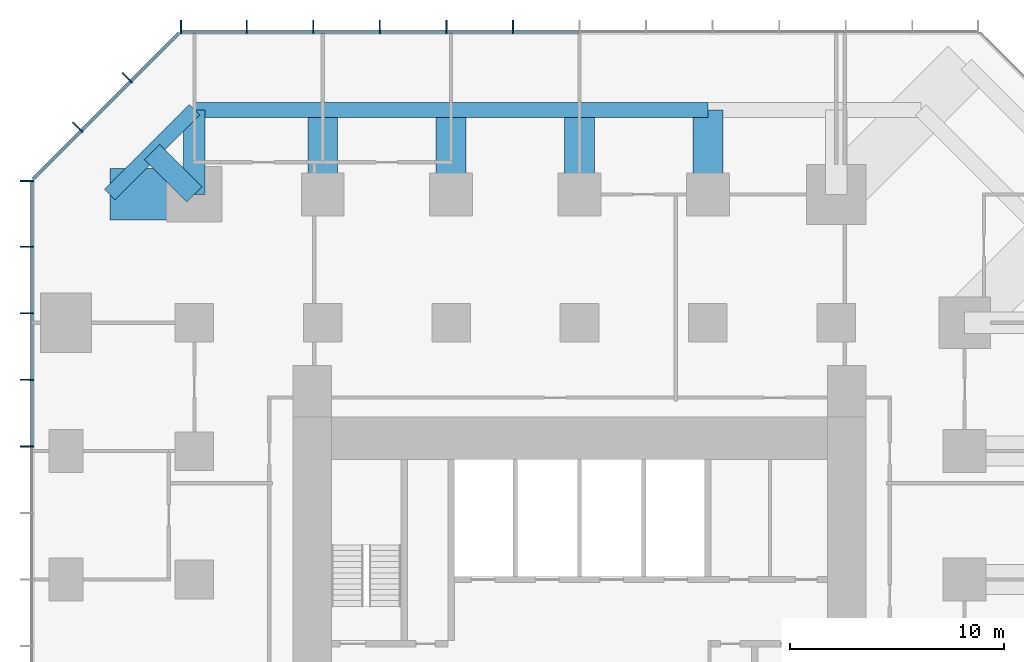
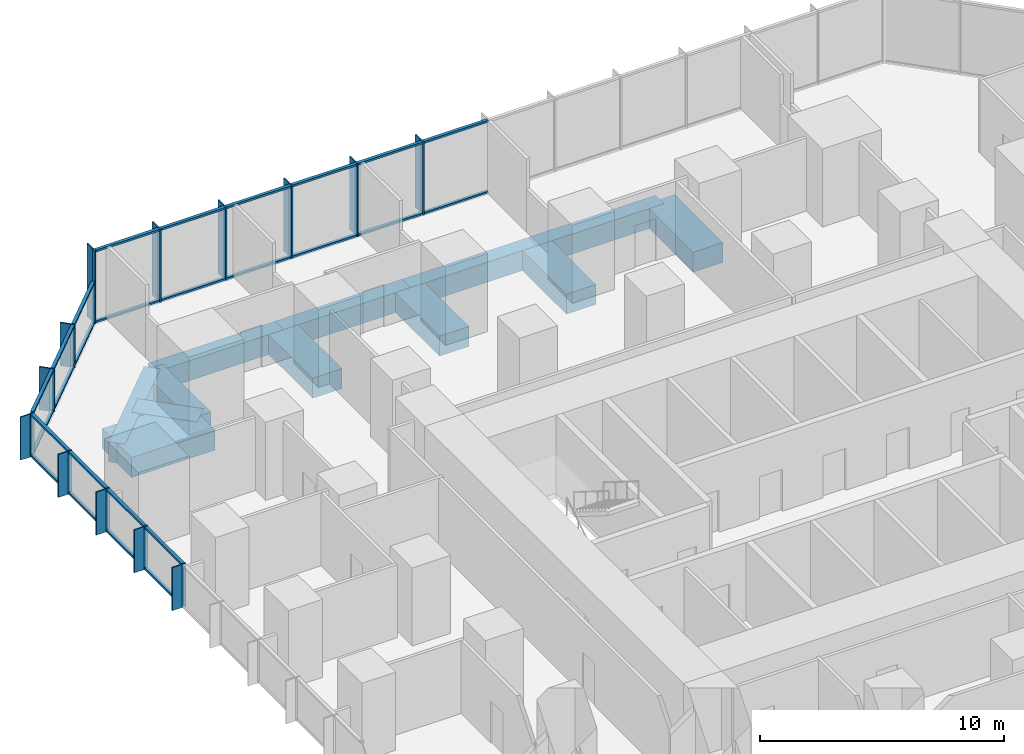
# One storey, part 6 of 13: 52 members, 12 beams, 3 elements without a shape of their own.
"""IFC4 building model written with IfcOpenShell, lengths in metres."""

from ifc_helpers import new_model, si_unit, direction, frame, origin, origin_2d, place, context, subcontext, project, spatial, rectangle, extrude, material, layer, layer_set, material_profile, profile_set, type_object, element, aggregate, save


model = new_model("IFC4")

# Units and contexts
model_context = context("Model", 3, precision=1e-05, world=origin(), true_north=direction((0.0, 1.0)))
body_context = subcontext(model_context, "Body", "Model", "MODEL_VIEW")
ifc_project = project(units=[si_unit("LENGTHUNIT", "METRE"), si_unit("AREAUNIT", "SQUARE_METRE"), si_unit("VOLUMEUNIT", "CUBIC_METRE"), si_unit("PLANEANGLEUNIT", "RADIAN"), si_unit("MASSUNIT", "GRAM", prefix="KILO")], contexts=[model_context])

# Site, building, storey
site_placement = place(None, origin())
site = spatial("IfcSite", under=ifc_project, at=site_placement, CompositionType="ELEMENT")
building_placement = place(site_placement, origin())
building = spatial("IfcBuilding", under=site, at=building_placement, Name="Highveld Stack Headquarters", CompositionType="ELEMENT")
storey_placement = place(building_placement, frame((0.0, 0.0, 84.5)))
storey = spatial("IfcBuildingStorey", under=building, at=storey_placement, Name="L20", CompositionType="ELEMENT", Elevation=84.5)

# Beams
ifc_material_1 = material(Name="Concrete C60/75", Category="concrete")
ifc_material_profile_1 = material_profile(ifc_material_1, rectangle(XDim=1.0, YDim=1.0, at=origin_2d()), Name="RC 1000x1000")
ifc_profile_set_1 = profile_set([ifc_material_profile_1], Name="Concrete C60/75")
beam_type_1 = type_object("IfcBeamType", Name="CANTILEVER RIB RC 1000x1000", PredefinedType="USERDEFINED", material=ifc_profile_set_1)
beam_1_placement = place(storey_placement, frame((-12.0, 24.0, -0.75), z_axis=(0.0, 1.0, 0.0), x_axis=(-1.0, 0.0, 0.0)))
element("IfcBeam", 1, at=beam_1_placement, inside=storey, type_object=beam_type_1, Name="Cantilever rib 4/J L20", ObjectType="CANTILEVER RIB", PredefinedType="USERDEFINED", context=body_context, shape_type="SweptSolid", body=[
    extrude(rectangle(XDim=1.0, YDim=1.0, at=origin_2d()), origin(), (0.0, 0.0, 1.0), 3.949951171875),
])
beam_2_placement = place(storey_placement, frame((-12.0, 24.0, -0.75), z_axis=(-0.707106781187, 0.707106781187, 0.0), x_axis=(-0.707106781187, -0.707106781187, 0.0)))
element("IfcBeam", 2, at=beam_2_placement, inside=storey, type_object=beam_type_1, Name="Cantilever rib 4/J L20", ObjectType="CANTILEVER RIB", PredefinedType="USERDEFINED", context=body_context, shape_type="SweptSolid", body=[
    extrude(rectangle(XDim=1.0, YDim=1.0, at=origin_2d()), origin(), (0.0, 0.0, 1.0), 2.793212890625),
])
ifc_material_2 = material(Name="Concrete C60/75", Category="concrete")
ifc_material_profile_2 = material_profile(ifc_material_2, rectangle(XDim=1.39990234375, YDim=1.0, at=origin_2d()), Name="RC 1400x1000")
ifc_profile_set_2 = profile_set([ifc_material_profile_2], Name="Concrete C60/75")
beam_type_2 = type_object("IfcBeamType", Name="CANTILEVER RIB RC 1400x1000", PredefinedType="USERDEFINED", material=ifc_profile_set_2)
for number, where, z_axis, x_axis, name in (
    (3, (-6.0, 24.0, -0.75), (0.0, 1.0, 0.0), (-1.0, 0.0, 0.0), "Cantilever rib 5/J L20"),
    (4, (0.0, 24.0, -0.75), (0.0, 1.0, 0.0), (-1.0, 0.0, 0.0), "Cantilever rib 6/J L20"),
    (5, (6.0, 24.0, -0.75), (0.0, 1.0, 0.0), (-1.0, 0.0, 0.0), "Cantilever rib 7/J L20"),
    (6, (12.0, 24.0, -0.75), (0.0, 1.0, 0.0), (-1.0, 0.0, 0.0), "Cantilever rib 8/J L20"),
):
    element("IfcBeam", number, at=place(storey_placement, frame(where, z_axis=z_axis, x_axis=x_axis)), inside=storey, type_object=beam_type_2, Name=name, ObjectType="CANTILEVER RIB", PredefinedType="USERDEFINED", context=body_context, shape_type="SweptSolid", body=[
        extrude(rectangle(XDim=1.39990234375, YDim=1.0, at=origin_2d()), origin(), (0.0, 0.0, 1.0), 3.949951171875),
    ])
ifc_material_3 = material(Name="Concrete C60/75", Category="concrete")
ifc_material_profile_3 = material_profile(ifc_material_3, rectangle(XDim=2.39990234375, YDim=1.0, at=origin_2d()), Name="RC 2400x1000")
ifc_profile_set_3 = profile_set([ifc_material_profile_3], Name="Concrete C60/75")
beam_type_3 = type_object("IfcBeamType", Name="CANTILEVER RIB RC 2400x1000", PredefinedType="USERDEFINED", material=ifc_profile_set_3)
beam_3_placement = place(storey_placement, frame((-12.0, 24.0, -0.75), z_axis=(-1.0, 0.0, 0.0), x_axis=(0.0, -1.0, 0.0)))
element("IfcBeam", 7, at=beam_3_placement, inside=storey, type_object=beam_type_3, Name="Cantilever rib 4/J L20", ObjectType="CANTILEVER RIB", PredefinedType="USERDEFINED", context=body_context, shape_type="SweptSolid", body=[
    extrude(rectangle(XDim=2.39990234375, YDim=1.0, at=origin_2d()), origin(), (0.0, 0.0, 1.0), 3.949951171875),
])

# Curtain wall, members
ifc_material_4 = material(Name="Aluminium bronze anodised", Category="aluminium")
ifc_layer_1 = layer(ifc_material_4, 0.199951171875)
ifc_layer_set_1 = layer_set([ifc_layer_1], Name="Aluminium bronze anodised")
curtain_wall_type_1 = type_object("IfcCurtainWallType", Name="CW1 TOWER UNITISED CURTAIN WALL", PredefinedType="NOTDEFINED", material=ifc_layer_set_1)
curtain_wall_1_placement = place(storey_placement, origin())
curtain_wall_1 = element("IfcCurtainWall", 8, at=curtain_wall_1_placement, inside=storey, type_object=curtain_wall_type_1, Name="Curtain wall CW1 L20 N", PredefinedType="NOTDEFINED")
ifc_material_5 = material(Name="Aluminium bronze anodised", Category="aluminium")
ifc_material_profile_4 = material_profile(ifc_material_5, rectangle(XDim=0.449951171875, YDim=0.06005859375, at=origin_2d()), Name="FIN 450x60")
ifc_profile_set_4 = profile_set([ifc_material_profile_4], Name="Aluminium bronze anodised")
member_type_1 = type_object("IfcMemberType", Name="CW1 BRONZE FIN 450x60", PredefinedType="USERDEFINED", material=ifc_profile_set_4)
member_1_placement = place(storey_placement, frame((2.889404296875, 31.925048828125, 0.0), z_axis=(0.0, 0.0, 1.0), x_axis=(0.0, -1.0, 0.0)))
member_1 = element("IfcMember", 9, at=member_1_placement, type_object=member_type_1, Name="CW1 fin L20 8", ObjectType="FIN", PredefinedType="USERDEFINED", context=body_context, shape_type="SweptSolid", body=[
    extrude(rectangle(XDim=0.449951171875, YDim=0.06005859375, at=origin_2d()), origin(), (0.0, 0.0, 1.0), 3.64990234375),
])
member_2_placement = place(storey_placement, frame((-0.220947265625, 31.925048828125, 0.0), z_axis=(0.0, 0.0, 1.0), x_axis=(0.0, -1.0, 0.0)))
member_2 = element("IfcMember", 10, at=member_2_placement, type_object=member_type_1, Name="CW1 fin L20 9", ObjectType="FIN", PredefinedType="USERDEFINED", context=body_context, shape_type="SweptSolid", body=[
    extrude(rectangle(XDim=0.449951171875, YDim=0.06005859375, at=origin_2d()), origin(), (0.0, 0.0, 1.0), 3.64990234375),
])
member_3_placement = place(storey_placement, frame((-3.331298828125, 31.925048828125, 0.0), z_axis=(0.0, 0.0, 1.0), x_axis=(0.0, -1.0, 0.0)))
member_3 = element("IfcMember", 11, at=member_3_placement, type_object=member_type_1, Name="CW1 fin L20 10", ObjectType="FIN", PredefinedType="USERDEFINED", context=body_context, shape_type="SweptSolid", body=[
    extrude(rectangle(XDim=0.449951171875, YDim=0.06005859375, at=origin_2d()), origin(), (0.0, 0.0, 1.0), 3.64990234375),
])
member_4_placement = place(storey_placement, frame((-6.44189453125, 31.925048828125, 0.0), z_axis=(0.0, 0.0, 1.0), x_axis=(0.0, -1.0, 0.0)))
member_4 = element("IfcMember", 12, at=member_4_placement, type_object=member_type_1, Name="CW1 fin L20 11", ObjectType="FIN", PredefinedType="USERDEFINED", context=body_context, shape_type="SweptSolid", body=[
    extrude(rectangle(XDim=0.449951171875, YDim=0.06005859375, at=origin_2d()), origin(), (0.0, 0.0, 1.0), 3.64990234375),
])
member_5_placement = place(storey_placement, frame((-9.55224609375, 31.925048828125, 0.0), z_axis=(0.0, 0.0, 1.0), x_axis=(0.0, -1.0, 0.0)))
member_5 = element("IfcMember", 13, at=member_5_placement, type_object=member_type_1, Name="CW1 fin L20 12", ObjectType="FIN", PredefinedType="USERDEFINED", context=body_context, shape_type="SweptSolid", body=[
    extrude(rectangle(XDim=0.449951171875, YDim=0.06005859375, at=origin_2d()), origin(), (0.0, 0.0, 1.0), 3.64990234375),
])
member_6_placement = place(storey_placement, frame((-12.630126953125, 31.925048828125, 0.0), z_axis=(0.0, 0.0, 1.0), x_axis=(0.0, -1.0, 0.0)))
member_6 = element("IfcMember", 14, at=member_6_placement, type_object=member_type_1, Name="CW1 fin L20 13", ObjectType="FIN", PredefinedType="USERDEFINED", context=body_context, shape_type="SweptSolid", body=[
    extrude(rectangle(XDim=0.449951171875, YDim=0.06005859375, at=origin_2d()), origin(), (0.0, 0.0, 1.0), 3.64990234375),
])

curtain_wall_2_placement = place(storey_placement, origin())
curtain_wall_2 = element("IfcCurtainWall", 15, at=curtain_wall_2_placement, inside=storey, type_object=curtain_wall_type_1, Name="Curtain wall CW1 L20 W", PredefinedType="NOTDEFINED")
member_7_placement = place(storey_placement, frame((-19.925048828125, 24.630126953125, 0.0), z_axis=(0.0, 0.0, 1.0), x_axis=(1.0, 0.0, 0.0)))
member_7 = element("IfcMember", 16, at=member_7_placement, type_object=member_type_1, Name="CW1 fin L20 1", ObjectType="FIN", PredefinedType="USERDEFINED", context=body_context, shape_type="SweptSolid", body=[
    extrude(rectangle(XDim=0.449951171875, YDim=0.06005859375, at=origin_2d()), origin(), (0.0, 0.0, 1.0), 2.14990234375),
])
member_8_placement = place(storey_placement, frame((-19.925048828125, 21.55224609375, 0.0), z_axis=(0.0, 0.0, 1.0), x_axis=(1.0, 0.0, 0.0)))
member_8 = element("IfcMember", 17, at=member_8_placement, type_object=member_type_1, Name="CW1 fin L20 2", ObjectType="FIN", PredefinedType="USERDEFINED", context=body_context, shape_type="SweptSolid", body=[
    extrude(rectangle(XDim=0.449951171875, YDim=0.06005859375, at=origin_2d()), origin(), (0.0, 0.0, 1.0), 2.14990234375),
])
member_9_placement = place(storey_placement, frame((-19.925048828125, 18.44189453125, 0.0), z_axis=(0.0, 0.0, 1.0), x_axis=(1.0, 0.0, 0.0)))
member_9 = element("IfcMember", 18, at=member_9_placement, type_object=member_type_1, Name="CW1 fin L20 3", ObjectType="FIN", PredefinedType="USERDEFINED", context=body_context, shape_type="SweptSolid", body=[
    extrude(rectangle(XDim=0.449951171875, YDim=0.06005859375, at=origin_2d()), origin(), (0.0, 0.0, 1.0), 2.14990234375),
])
member_10_placement = place(storey_placement, frame((-19.925048828125, 15.331298828125, 0.0), z_axis=(0.0, 0.0, 1.0), x_axis=(1.0, 0.0, 0.0)))
member_10 = element("IfcMember", 19, at=member_10_placement, type_object=member_type_1, Name="CW1 fin L20 4", ObjectType="FIN", PredefinedType="USERDEFINED", context=body_context, shape_type="SweptSolid", body=[
    extrude(rectangle(XDim=0.449951171875, YDim=0.06005859375, at=origin_2d()), origin(), (0.0, 0.0, 1.0), 2.14990234375),
])
member_11_placement = place(storey_placement, frame((-19.925048828125, 12.220947265625, 0.0), z_axis=(0.0, 0.0, 1.0), x_axis=(1.0, 0.0, 0.0)))
member_11 = element("IfcMember", 20, at=member_11_placement, type_object=member_type_1, Name="CW1 fin L20 5", ObjectType="FIN", PredefinedType="USERDEFINED", context=body_context, shape_type="SweptSolid", body=[
    extrude(rectangle(XDim=0.449951171875, YDim=0.06005859375, at=origin_2d()), origin(), (0.0, 0.0, 1.0), 2.14990234375),
])

# Member
ifc_material_6 = material(Name="Aluminium bronze anodised", Category="aluminium")
ifc_material_profile_5 = material_profile(ifc_material_6, rectangle(XDim=0.199951171875, YDim=0.06494140625, at=origin_2d()), Name="CW1 MULLION 65x200")
ifc_profile_set_5 = profile_set([ifc_material_profile_5], Name="Aluminium bronze anodised")
member_type_2 = type_object("IfcMemberType", Name="CW1 MULLION 65x200", PredefinedType="MULLION", material=ifc_profile_set_5)
member_12_placement = place(storey_placement, frame((2.889404296875, 31.60009765625, 0.0), z_axis=(0.0, 0.0, 1.0), x_axis=(0.0, -1.0, 0.0)))
member_12 = element("IfcMember", 21, at=member_12_placement, type_object=member_type_2, Name="CW1 mullion L20 8", PredefinedType="MULLION", context=body_context, shape_type="SweptSolid", body=[
    extrude(rectangle(XDim=0.199951171875, YDim=0.06494140625, at=origin_2d()), origin(), (0.0, 0.0, 1.0), 3.64990234375),
])

member_13_placement = place(storey_placement, frame((-0.220947265625, 31.60009765625, 0.0), z_axis=(0.0, 0.0, 1.0), x_axis=(0.0, -1.0, 0.0)))
member_13 = element("IfcMember", 22, at=member_13_placement, type_object=member_type_2, Name="CW1 mullion L20 9", PredefinedType="MULLION", context=body_context, shape_type="SweptSolid", body=[
    extrude(rectangle(XDim=0.199951171875, YDim=0.06494140625, at=origin_2d()), origin(), (0.0, 0.0, 1.0), 3.64990234375),
])

member_14_placement = place(storey_placement, frame((-3.331298828125, 31.60009765625, 0.0), z_axis=(0.0, 0.0, 1.0), x_axis=(0.0, -1.0, 0.0)))
member_14 = element("IfcMember", 23, at=member_14_placement, type_object=member_type_2, Name="CW1 mullion L20 10", PredefinedType="MULLION", context=body_context, shape_type="SweptSolid", body=[
    extrude(rectangle(XDim=0.199951171875, YDim=0.06494140625, at=origin_2d()), origin(), (0.0, 0.0, 1.0), 3.64990234375),
])

member_15_placement = place(storey_placement, frame((-6.44189453125, 31.60009765625, 0.0), z_axis=(0.0, 0.0, 1.0), x_axis=(0.0, -1.0, 0.0)))
member_15 = element("IfcMember", 24, at=member_15_placement, type_object=member_type_2, Name="CW1 mullion L20 11", PredefinedType="MULLION", context=body_context, shape_type="SweptSolid", body=[
    extrude(rectangle(XDim=0.199951171875, YDim=0.06494140625, at=origin_2d()), origin(), (0.0, 0.0, 1.0), 3.64990234375),
])

member_16_placement = place(storey_placement, frame((-9.55224609375, 31.60009765625, 0.0), z_axis=(0.0, 0.0, 1.0), x_axis=(0.0, -1.0, 0.0)))
member_16 = element("IfcMember", 25, at=member_16_placement, type_object=member_type_2, Name="CW1 mullion L20 12", PredefinedType="MULLION", context=body_context, shape_type="SweptSolid", body=[
    extrude(rectangle(XDim=0.199951171875, YDim=0.06494140625, at=origin_2d()), origin(), (0.0, 0.0, 1.0), 3.64990234375),
])

member_17_placement = place(storey_placement, frame((-12.630126953125, 31.60009765625, 0.0), z_axis=(0.0, 0.0, 1.0), x_axis=(0.0, -1.0, 0.0)))
member_17 = element("IfcMember", 26, at=member_17_placement, type_object=member_type_2, Name="CW1 mullion L20 13", PredefinedType="MULLION", context=body_context, shape_type="SweptSolid", body=[
    extrude(rectangle(XDim=0.199951171875, YDim=0.06494140625, at=origin_2d()), origin(), (0.0, 0.0, 1.0), 3.64990234375),
])

member_18_placement = place(storey_placement, frame((-19.60009765625, 24.630126953125, 0.0), z_axis=(0.0, 0.0, 1.0), x_axis=(1.0, 0.0, 0.0)))
member_18 = element("IfcMember", 27, at=member_18_placement, type_object=member_type_2, Name="CW1 mullion L20 1", PredefinedType="MULLION", context=body_context, shape_type="SweptSolid", body=[
    extrude(rectangle(XDim=0.199951171875, YDim=0.06494140625, at=origin_2d()), origin(), (0.0, 0.0, 1.0), 2.14990234375),
])

member_19_placement = place(storey_placement, frame((-19.60009765625, 21.55224609375, 0.0), z_axis=(0.0, 0.0, 1.0), x_axis=(1.0, 0.0, 0.0)))
member_19 = element("IfcMember", 28, at=member_19_placement, type_object=member_type_2, Name="CW1 mullion L20 2", PredefinedType="MULLION", context=body_context, shape_type="SweptSolid", body=[
    extrude(rectangle(XDim=0.199951171875, YDim=0.06494140625, at=origin_2d()), origin(), (0.0, 0.0, 1.0), 2.14990234375),
])

member_20_placement = place(storey_placement, frame((-19.60009765625, 18.44189453125, 0.0), z_axis=(0.0, 0.0, 1.0), x_axis=(1.0, 0.0, 0.0)))
member_20 = element("IfcMember", 29, at=member_20_placement, type_object=member_type_2, Name="CW1 mullion L20 3", PredefinedType="MULLION", context=body_context, shape_type="SweptSolid", body=[
    extrude(rectangle(XDim=0.199951171875, YDim=0.06494140625, at=origin_2d()), origin(), (0.0, 0.0, 1.0), 2.14990234375),
])

member_21_placement = place(storey_placement, frame((-19.60009765625, 15.331298828125, 0.0), z_axis=(0.0, 0.0, 1.0), x_axis=(1.0, 0.0, 0.0)))
member_21 = element("IfcMember", 30, at=member_21_placement, type_object=member_type_2, Name="CW1 mullion L20 4", PredefinedType="MULLION", context=body_context, shape_type="SweptSolid", body=[
    extrude(rectangle(XDim=0.199951171875, YDim=0.06494140625, at=origin_2d()), origin(), (0.0, 0.0, 1.0), 2.14990234375),
])

member_22_placement = place(storey_placement, frame((-19.60009765625, 12.220947265625, 0.0), z_axis=(0.0, 0.0, 1.0), x_axis=(1.0, 0.0, 0.0)))
member_22 = element("IfcMember", 31, at=member_22_placement, type_object=member_type_2, Name="CW1 mullion L20 5", PredefinedType="MULLION", context=body_context, shape_type="SweptSolid", body=[
    extrude(rectangle(XDim=0.199951171875, YDim=0.06494140625, at=origin_2d()), origin(), (0.0, 0.0, 1.0), 2.14990234375),
])

ifc_material_7 = material(Name="Aluminium bronze anodised", Category="aluminium")
ifc_material_profile_6 = material_profile(ifc_material_7, rectangle(XDim=0.14990234375, YDim=0.10009765625, at=origin_2d()), Name="CW1 TRANSOM 150x100")
ifc_profile_set_6 = profile_set([ifc_material_profile_6], Name="Aluminium bronze anodised")
member_type_3 = type_object("IfcMemberType", Name="CW1 STACK TRANSOM 150x100", PredefinedType="USERDEFINED", material=ifc_profile_set_6)
member_23_placement = place(storey_placement, frame((5.967529296875, 31.60009765625, 0.050048828125), z_axis=(-1.0, 0.0, 0.0), x_axis=(0.0, -1.0, 0.0)))
member_23 = element("IfcMember", 32, at=member_23_placement, type_object=member_type_3, Name="CW1 transom L20 7.1", ObjectType="TRANSOM", PredefinedType="USERDEFINED", context=body_context, shape_type="SweptSolid", body=[
    extrude(rectangle(XDim=0.14990234375, YDim=0.10009765625, at=origin_2d()), origin(), (0.0, 0.0, 1.0), 3.04541015625),
])

member_24_placement = place(storey_placement, frame((5.967529296875, 31.60009765625, 3.60009765625), z_axis=(-1.0, 0.0, 0.0), x_axis=(0.0, -1.0, 0.0)))
member_24 = element("IfcMember", 33, at=member_24_placement, type_object=member_type_3, Name="CW1 transom L20 7.2", ObjectType="TRANSOM", PredefinedType="USERDEFINED", context=body_context, shape_type="SweptSolid", body=[
    extrude(rectangle(XDim=0.14990234375, YDim=0.10009765625, at=origin_2d()), origin(), (0.0, 0.0, 1.0), 3.04541015625),
])

member_25_placement = place(storey_placement, frame((2.857177734375, 31.60009765625, 0.050048828125), z_axis=(-1.0, 0.0, 0.0), x_axis=(0.0, -1.0, 0.0)))
member_25 = element("IfcMember", 34, at=member_25_placement, type_object=member_type_3, Name="CW1 transom L20 8.1", ObjectType="TRANSOM", PredefinedType="USERDEFINED", context=body_context, shape_type="SweptSolid", body=[
    extrude(rectangle(XDim=0.14990234375, YDim=0.10009765625, at=origin_2d()), origin(), (0.0, 0.0, 1.0), 3.045654296875),
])

member_26_placement = place(storey_placement, frame((2.857177734375, 31.60009765625, 3.60009765625), z_axis=(-1.0, 0.0, 0.0), x_axis=(0.0, -1.0, 0.0)))
member_26 = element("IfcMember", 35, at=member_26_placement, type_object=member_type_3, Name="CW1 transom L20 8.2", ObjectType="TRANSOM", PredefinedType="USERDEFINED", context=body_context, shape_type="SweptSolid", body=[
    extrude(rectangle(XDim=0.14990234375, YDim=0.10009765625, at=origin_2d()), origin(), (0.0, 0.0, 1.0), 3.045654296875),
])

member_27_placement = place(storey_placement, frame((-0.25341796875, 31.60009765625, 0.050048828125), z_axis=(-1.0, 0.0, 0.0), x_axis=(0.0, -1.0, 0.0)))
member_27 = element("IfcMember", 36, at=member_27_placement, type_object=member_type_3, Name="CW1 transom L20 9.1", ObjectType="TRANSOM", PredefinedType="USERDEFINED", context=body_context, shape_type="SweptSolid", body=[
    extrude(rectangle(XDim=0.14990234375, YDim=0.10009765625, at=origin_2d()), origin(), (0.0, 0.0, 1.0), 3.04541015625),
])

member_28_placement = place(storey_placement, frame((-0.25341796875, 31.60009765625, 3.60009765625), z_axis=(-1.0, 0.0, 0.0), x_axis=(0.0, -1.0, 0.0)))
member_28 = element("IfcMember", 37, at=member_28_placement, type_object=member_type_3, Name="CW1 transom L20 9.2", ObjectType="TRANSOM", PredefinedType="USERDEFINED", context=body_context, shape_type="SweptSolid", body=[
    extrude(rectangle(XDim=0.14990234375, YDim=0.10009765625, at=origin_2d()), origin(), (0.0, 0.0, 1.0), 3.04541015625),
])

member_29_placement = place(storey_placement, frame((-3.36376953125, 31.60009765625, 0.050048828125), z_axis=(-1.0, 0.0, 0.0), x_axis=(0.0, -1.0, 0.0)))
member_29 = element("IfcMember", 38, at=member_29_placement, type_object=member_type_3, Name="CW1 transom L20 10.1", ObjectType="TRANSOM", PredefinedType="USERDEFINED", context=body_context, shape_type="SweptSolid", body=[
    extrude(rectangle(XDim=0.14990234375, YDim=0.10009765625, at=origin_2d()), origin(), (0.0, 0.0, 1.0), 3.04541015625),
])

member_30_placement = place(storey_placement, frame((-3.36376953125, 31.60009765625, 3.60009765625), z_axis=(-1.0, 0.0, 0.0), x_axis=(0.0, -1.0, 0.0)))
member_30 = element("IfcMember", 39, at=member_30_placement, type_object=member_type_3, Name="CW1 transom L20 10.2", ObjectType="TRANSOM", PredefinedType="USERDEFINED", context=body_context, shape_type="SweptSolid", body=[
    extrude(rectangle(XDim=0.14990234375, YDim=0.10009765625, at=origin_2d()), origin(), (0.0, 0.0, 1.0), 3.04541015625),
])

member_31_placement = place(storey_placement, frame((-6.474365234375, 31.60009765625, 0.050048828125), z_axis=(-1.0, 0.0, 0.0), x_axis=(0.0, -1.0, 0.0)))
member_31 = element("IfcMember", 40, at=member_31_placement, type_object=member_type_3, Name="CW1 transom L20 11.1", ObjectType="TRANSOM", PredefinedType="USERDEFINED", context=body_context, shape_type="SweptSolid", body=[
    extrude(rectangle(XDim=0.14990234375, YDim=0.10009765625, at=origin_2d()), origin(), (0.0, 0.0, 1.0), 3.04541015625),
])

member_32_placement = place(storey_placement, frame((-6.474365234375, 31.60009765625, 3.60009765625), z_axis=(-1.0, 0.0, 0.0), x_axis=(0.0, -1.0, 0.0)))
member_32 = element("IfcMember", 41, at=member_32_placement, type_object=member_type_3, Name="CW1 transom L20 11.2", ObjectType="TRANSOM", PredefinedType="USERDEFINED", context=body_context, shape_type="SweptSolid", body=[
    extrude(rectangle(XDim=0.14990234375, YDim=0.10009765625, at=origin_2d()), origin(), (0.0, 0.0, 1.0), 3.04541015625),
])

member_33_placement = place(storey_placement, frame((-9.584716796875, 31.60009765625, 0.050048828125), z_axis=(-1.0, 0.0, 0.0), x_axis=(0.0, -1.0, 0.0)))
member_33 = element("IfcMember", 42, at=member_33_placement, type_object=member_type_3, Name="CW1 transom L20 12.1", ObjectType="TRANSOM", PredefinedType="USERDEFINED", context=body_context, shape_type="SweptSolid", body=[
    extrude(rectangle(XDim=0.14990234375, YDim=0.10009765625, at=origin_2d()), origin(), (0.0, 0.0, 1.0), 3.012939453125),
])

member_34_placement = place(storey_placement, frame((-9.584716796875, 31.60009765625, 3.60009765625), z_axis=(-1.0, 0.0, 0.0), x_axis=(0.0, -1.0, 0.0)))
member_34 = element("IfcMember", 43, at=member_34_placement, type_object=member_type_3, Name="CW1 transom L20 12.2", ObjectType="TRANSOM", PredefinedType="USERDEFINED", context=body_context, shape_type="SweptSolid", body=[
    extrude(rectangle(XDim=0.14990234375, YDim=0.10009765625, at=origin_2d()), origin(), (0.0, 0.0, 1.0), 3.012939453125),
])

aggregate(curtain_wall_1, [member_12, member_1, member_13, member_2, member_14, member_3, member_15, member_4, member_16, member_5, member_17, member_6, member_23, member_24, member_25, member_26, member_27, member_28, member_29, member_30, member_31, member_32, member_33, member_34])

member_35_placement = place(storey_placement, frame((-19.60009765625, 24.59765625, 0.050048828125), z_axis=(0.0, -1.0, 0.0), x_axis=(1.0, 0.0, 0.0)))
member_35 = element("IfcMember", 44, at=member_35_placement, type_object=member_type_3, Name="CW1 transom L20 1.1", ObjectType="TRANSOM", PredefinedType="USERDEFINED", context=body_context, shape_type="SweptSolid", body=[
    extrude(rectangle(XDim=0.14990234375, YDim=0.10009765625, at=origin_2d()), origin(), (0.0, 0.0, 1.0), 3.012939453125),
])

member_36_placement = place(storey_placement, frame((-19.60009765625, 24.59765625, 2.10009765625), z_axis=(0.0, -1.0, 0.0), x_axis=(1.0, 0.0, 0.0)))
member_36 = element("IfcMember", 45, at=member_36_placement, type_object=member_type_3, Name="CW1 transom L20 1.2", ObjectType="TRANSOM", PredefinedType="USERDEFINED", context=body_context, shape_type="SweptSolid", body=[
    extrude(rectangle(XDim=0.14990234375, YDim=0.10009765625, at=origin_2d()), origin(), (0.0, 0.0, 1.0), 3.012939453125),
])

member_37_placement = place(storey_placement, frame((-19.60009765625, 21.519775390625, 0.050048828125), z_axis=(0.0, -1.0, 0.0), x_axis=(1.0, 0.0, 0.0)))
member_37 = element("IfcMember", 46, at=member_37_placement, type_object=member_type_3, Name="CW1 transom L20 2.1", ObjectType="TRANSOM", PredefinedType="USERDEFINED", context=body_context, shape_type="SweptSolid", body=[
    extrude(rectangle(XDim=0.14990234375, YDim=0.10009765625, at=origin_2d()), origin(), (0.0, 0.0, 1.0), 3.04541015625),
])

member_38_placement = place(storey_placement, frame((-19.60009765625, 21.519775390625, 2.10009765625), z_axis=(0.0, -1.0, 0.0), x_axis=(1.0, 0.0, 0.0)))
member_38 = element("IfcMember", 47, at=member_38_placement, type_object=member_type_3, Name="CW1 transom L20 2.2", ObjectType="TRANSOM", PredefinedType="USERDEFINED", context=body_context, shape_type="SweptSolid", body=[
    extrude(rectangle(XDim=0.14990234375, YDim=0.10009765625, at=origin_2d()), origin(), (0.0, 0.0, 1.0), 3.04541015625),
])

member_39_placement = place(storey_placement, frame((-19.60009765625, 18.4091796875, 0.050048828125), z_axis=(0.0, -1.0, 0.0), x_axis=(1.0, 0.0, 0.0)))
member_39 = element("IfcMember", 48, at=member_39_placement, type_object=member_type_3, Name="CW1 transom L20 3.1", ObjectType="TRANSOM", PredefinedType="USERDEFINED", context=body_context, shape_type="SweptSolid", body=[
    extrude(rectangle(XDim=0.14990234375, YDim=0.10009765625, at=origin_2d()), origin(), (0.0, 0.0, 1.0), 3.045166015625),
])

member_40_placement = place(storey_placement, frame((-19.60009765625, 18.4091796875, 2.10009765625), z_axis=(0.0, -1.0, 0.0), x_axis=(1.0, 0.0, 0.0)))
member_40 = element("IfcMember", 49, at=member_40_placement, type_object=member_type_3, Name="CW1 transom L20 3.2", ObjectType="TRANSOM", PredefinedType="USERDEFINED", context=body_context, shape_type="SweptSolid", body=[
    extrude(rectangle(XDim=0.14990234375, YDim=0.10009765625, at=origin_2d()), origin(), (0.0, 0.0, 1.0), 3.045166015625),
])

member_41_placement = place(storey_placement, frame((-19.60009765625, 15.298828125, 0.050048828125), z_axis=(0.0, -1.0, 0.0), x_axis=(1.0, 0.0, 0.0)))
member_41 = element("IfcMember", 50, at=member_41_placement, type_object=member_type_3, Name="CW1 transom L20 4.1", ObjectType="TRANSOM", PredefinedType="USERDEFINED", context=body_context, shape_type="SweptSolid", body=[
    extrude(rectangle(XDim=0.14990234375, YDim=0.10009765625, at=origin_2d()), origin(), (0.0, 0.0, 1.0), 3.04541015625),
])

member_42_placement = place(storey_placement, frame((-19.60009765625, 15.298828125, 2.10009765625), z_axis=(0.0, -1.0, 0.0), x_axis=(1.0, 0.0, 0.0)))
member_42 = element("IfcMember", 51, at=member_42_placement, type_object=member_type_3, Name="CW1 transom L20 4.2", ObjectType="TRANSOM", PredefinedType="USERDEFINED", context=body_context, shape_type="SweptSolid", body=[
    extrude(rectangle(XDim=0.14990234375, YDim=0.10009765625, at=origin_2d()), origin(), (0.0, 0.0, 1.0), 3.04541015625),
])

aggregate(curtain_wall_2, [member_18, member_7, member_19, member_8, member_20, member_9, member_21, member_10, member_22, member_11, member_35, member_36, member_37, member_38, member_39, member_40, member_41, member_42])

# Curtain wall, members
ifc_material_8 = material(Name="Aluminium bronze anodised", Category="aluminium")
ifc_layer_2 = layer(ifc_material_8, 0.199951171875)
ifc_layer_set_2 = layer_set([ifc_layer_2], Name="Aluminium bronze anodised")
curtain_wall_type_2 = type_object("IfcCurtainWallType", Name="CW2 TOWER CHAMFER UNITISED CURTAIN WALL", PredefinedType="NOTDEFINED", material=ifc_layer_set_2)
curtain_wall_3_placement = place(storey_placement, origin())
curtain_wall_3 = element("IfcCurtainWall", 52, at=curtain_wall_3_placement, inside=storey, type_object=curtain_wall_type_2, Name="Curtain wall CW2 L20 NW", PredefinedType="NOTDEFINED")
ifc_material_9 = material(Name="Aluminium bronze anodised", Category="aluminium")
ifc_material_profile_7 = material_profile(ifc_material_9, rectangle(XDim=0.449951171875, YDim=0.06005859375, at=origin_2d()), Name="FIN 450x60")
ifc_profile_set_7 = profile_set([ifc_material_profile_7], Name="Aluminium bronze anodised")
member_type_4 = type_object("IfcMemberType", Name="CW2 BRONZE FIN 450x60", PredefinedType="USERDEFINED", material=ifc_profile_set_7)
member_43_placement = place(storey_placement, frame((-15.204833984375, 29.517333984375, 0.0), z_axis=(0.0, 0.0, 1.0), x_axis=(0.707106781187, -0.707106781187, 0.0)))
member_43 = element("IfcMember", 53, at=member_43_placement, type_object=member_type_4, Name="CW2 fin L20 1", ObjectType="FIN", PredefinedType="USERDEFINED", context=body_context, shape_type="SweptSolid", body=[
    extrude(rectangle(XDim=0.449951171875, YDim=0.06005859375, at=origin_2d()), origin(), (0.0, 0.0, 1.0), 2.14990234375),
])
member_44_placement = place(storey_placement, frame((-17.517333984375, 27.204833984375, 0.0), z_axis=(0.0, 0.0, 1.0), x_axis=(0.707106781187, -0.707106781187, 0.0)))
member_44 = element("IfcMember", 54, at=member_44_placement, type_object=member_type_4, Name="CW2 fin L20 2", ObjectType="FIN", PredefinedType="USERDEFINED", context=body_context, shape_type="SweptSolid", body=[
    extrude(rectangle(XDim=0.449951171875, YDim=0.06005859375, at=origin_2d()), origin(), (0.0, 0.0, 1.0), 2.14990234375),
])
ifc_material_10 = material(Name="Aluminium bronze anodised", Category="aluminium")
ifc_material_profile_8 = material_profile(ifc_material_10, rectangle(XDim=0.199951171875, YDim=0.06494140625, at=origin_2d()), Name="CW2 MULLION 65x200")
ifc_profile_set_8 = profile_set([ifc_material_profile_8], Name="Aluminium bronze anodised")
member_type_5 = type_object("IfcMemberType", Name="CW2 MULLION 65x200", PredefinedType="MULLION", material=ifc_profile_set_8)
member_45_placement = place(storey_placement, frame((-14.97509765625, 29.28759765625, 0.0), z_axis=(0.0, 0.0, 1.0), x_axis=(0.707106781187, -0.707106781187, 0.0)))
member_45 = element("IfcMember", 55, at=member_45_placement, type_object=member_type_5, Name="CW2 mullion L20 1", PredefinedType="MULLION", context=body_context, shape_type="SweptSolid", body=[
    extrude(rectangle(XDim=0.199951171875, YDim=0.06494140625, at=origin_2d()), origin(), (0.0, 0.0, 1.0), 2.14990234375),
])
member_46_placement = place(storey_placement, frame((-17.28759765625, 26.97509765625, 0.0), z_axis=(0.0, 0.0, 1.0), x_axis=(0.707106781187, -0.707106781187, 0.0)))
member_46 = element("IfcMember", 56, at=member_46_placement, type_object=member_type_5, Name="CW2 mullion L20 2", PredefinedType="MULLION", context=body_context, shape_type="SweptSolid", body=[
    extrude(rectangle(XDim=0.199951171875, YDim=0.06494140625, at=origin_2d()), origin(), (0.0, 0.0, 1.0), 2.14990234375),
])
ifc_material_11 = material(Name="Aluminium bronze anodised", Category="aluminium")
ifc_material_profile_9 = material_profile(ifc_material_11, rectangle(XDim=0.14990234375, YDim=0.10009765625, at=origin_2d()), Name="CW2 TRANSOM 150x100")
ifc_profile_set_9 = profile_set([ifc_material_profile_9], Name="Aluminium bronze anodised")
member_type_6 = type_object("IfcMemberType", Name="CW2 STACK TRANSOM 150x100", PredefinedType="USERDEFINED", material=ifc_profile_set_9)
member_47_placement = place(storey_placement, frame((-12.7333984375, 31.529296875, 0.050048828125), z_axis=(-0.707106781187, -0.707106781187, 0.0), x_axis=(0.707106781187, -0.707106781187, 0.0)))
member_47 = element("IfcMember", 57, at=member_47_placement, type_object=member_type_6, Name="CW2 transom L20 1.1", ObjectType="TRANSOM", PredefinedType="USERDEFINED", context=body_context, shape_type="SweptSolid", body=[
    extrude(rectangle(XDim=0.14990234375, YDim=0.10009765625, at=origin_2d()), origin(), (0.0, 0.0, 1.0), 3.1376953125),
])
member_48_placement = place(storey_placement, frame((-12.7333984375, 31.529296875, 2.10009765625), z_axis=(-0.707106781187, -0.707106781187, 0.0), x_axis=(0.707106781187, -0.707106781187, 0.0)))
member_48 = element("IfcMember", 58, at=member_48_placement, type_object=member_type_6, Name="CW2 transom L20 1.2", ObjectType="TRANSOM", PredefinedType="USERDEFINED", context=body_context, shape_type="SweptSolid", body=[
    extrude(rectangle(XDim=0.14990234375, YDim=0.10009765625, at=origin_2d()), origin(), (0.0, 0.0, 1.0), 3.1376953125),
])
member_49_placement = place(storey_placement, frame((-14.998046875, 29.2646484375, 0.050048828125), z_axis=(-0.707106781187, -0.707106781187, 0.0), x_axis=(0.707106781187, -0.707106781187, 0.0)))
member_49 = element("IfcMember", 59, at=member_49_placement, type_object=member_type_6, Name="CW2 transom L20 2.1", ObjectType="TRANSOM", PredefinedType="USERDEFINED", context=body_context, shape_type="SweptSolid", body=[
    extrude(rectangle(XDim=0.14990234375, YDim=0.10009765625, at=origin_2d()), origin(), (0.0, 0.0, 1.0), 3.20556640625),
])
member_50_placement = place(storey_placement, frame((-14.998046875, 29.2646484375, 2.10009765625), z_axis=(-0.707106781187, -0.707106781187, 0.0), x_axis=(0.707106781187, -0.707106781187, 0.0)))
member_50 = element("IfcMember", 60, at=member_50_placement, type_object=member_type_6, Name="CW2 transom L20 2.2", ObjectType="TRANSOM", PredefinedType="USERDEFINED", context=body_context, shape_type="SweptSolid", body=[
    extrude(rectangle(XDim=0.14990234375, YDim=0.10009765625, at=origin_2d()), origin(), (0.0, 0.0, 1.0), 3.20556640625),
])
member_51_placement = place(storey_placement, frame((-17.310546875, 26.9521484375, 0.050048828125), z_axis=(-0.707106781187, -0.707106781187, 0.0), x_axis=(0.707106781187, -0.707106781187, 0.0)))
member_51 = element("IfcMember", 61, at=member_51_placement, type_object=member_type_6, Name="CW2 transom L20 3.1", ObjectType="TRANSOM", PredefinedType="USERDEFINED", context=body_context, shape_type="SweptSolid", body=[
    extrude(rectangle(XDim=0.14990234375, YDim=0.10009765625, at=origin_2d()), origin(), (0.0, 0.0, 1.0), 3.1376953125),
])
member_52_placement = place(storey_placement, frame((-17.310546875, 26.9521484375, 2.10009765625), z_axis=(-0.707106781187, -0.707106781187, 0.0), x_axis=(0.707106781187, -0.707106781187, 0.0)))
member_52 = element("IfcMember", 62, at=member_52_placement, type_object=member_type_6, Name="CW2 transom L20 3.2", ObjectType="TRANSOM", PredefinedType="USERDEFINED", context=body_context, shape_type="SweptSolid", body=[
    extrude(rectangle(XDim=0.14990234375, YDim=0.10009765625, at=origin_2d()), origin(), (0.0, 0.0, 1.0), 3.1376953125),
])
aggregate(curtain_wall_3, [member_45, member_43, member_46, member_44, member_47, member_48, member_49, member_50, member_51, member_52])

# Beams
ifc_material_12 = material(Name="Concrete C60/75", Category="concrete")
ifc_material_profile_10 = material_profile(ifc_material_12, rectangle(XDim=0.699951171875, YDim=1.0, at=origin_2d()), Name="RC 700x1000")
ifc_profile_set_10 = profile_set([ifc_material_profile_10], Name="Concrete C60/75")
beam_type_4 = type_object("IfcBeamType", Name="RIB TIP BEAM RC 700x1000", PredefinedType="SPANDREL", material=ifc_profile_set_10)
for number, where, z_axis, x_axis, name in (
    (63, (-12.0, 27.949951171875, -0.75), (1.0, 0.0, 0.0), (0.0, 1.0, 0.0), "Rib tip beam 4/J to 5/J L20"),
    (64, (-6.0, 27.949951171875, -0.75), (1.0, 0.0, 0.0), (0.0, 1.0, 0.0), "Rib tip beam 5/J to 6/J L20"),
    (65, (0.0, 27.949951171875, -0.75), (1.0, 0.0, 0.0), (0.0, 1.0, 0.0), "Rib tip beam 6/J to 7/J L20"),
    (66, (6.0, 27.949951171875, -0.75), (1.0, 0.0, 0.0), (0.0, 1.0, 0.0), "Rib tip beam 7/J to 8/J L20"),
):
    element("IfcBeam", number, at=place(storey_placement, frame(where, z_axis=z_axis, x_axis=x_axis)), inside=storey, type_object=beam_type_4, Name=name, PredefinedType="SPANDREL", context=body_context, shape_type="SweptSolid", body=[
        extrude(rectangle(XDim=0.699951171875, YDim=1.0, at=origin_2d()), origin(), (0.0, 0.0, 1.0), 6.0),
    ])
beam_4_placement = place(storey_placement, frame((-15.949951171875, 24.0, -0.75), z_axis=(0.707106781187, 0.707106781187, 0.0), x_axis=(-0.707106781187, 0.707106781187, 0.0)))
element("IfcBeam", 67, at=beam_4_placement, inside=storey, type_object=beam_type_4, Name="Rib tip beam 4/J corner L20", PredefinedType="SPANDREL", context=body_context, shape_type="SweptSolid", body=[
    extrude(rectangle(XDim=0.699951171875, YDim=1.0, at=origin_2d()), origin(), (0.0, 0.0, 1.0), 5.586181640625),
])

save(model, "model.ifc")
